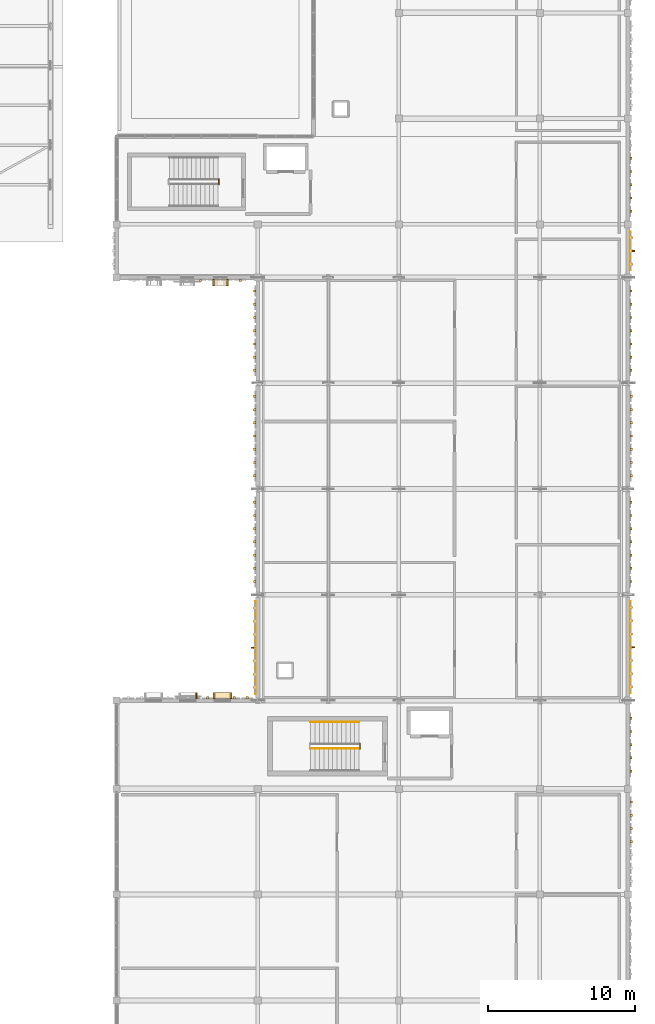
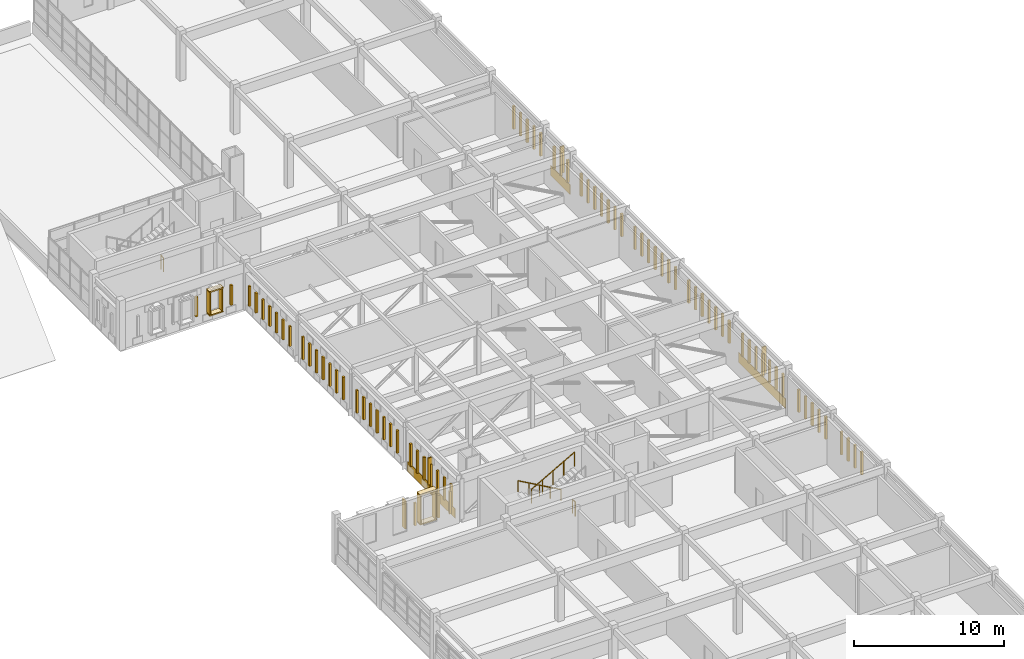
# One storey, part 72 of 79: 90 coverings, 4 railings, 3 shading devices.
"""IFC4 building model written with IfcOpenShell, lengths in metres."""

from ifc_helpers import new_model, si_unit, direction, frame, origin, origin_2d, place, context, subcontext, project, spatial, rectangle, circle, extrude, material, layer, layer_set, type_object, element, save


model = new_model("IFC4")

# Units and contexts
model_context = context("Model", 3, precision=1e-05, world=origin(), true_north=direction((0.0, 1.0)))
body_context = subcontext(model_context, "Body", "Model", "MODEL_VIEW")
ifc_project = project(units=[si_unit("LENGTHUNIT", "METRE"), si_unit("AREAUNIT", "SQUARE_METRE"), si_unit("VOLUMEUNIT", "CUBIC_METRE"), si_unit("PLANEANGLEUNIT", "RADIAN"), si_unit("MASSUNIT", "GRAM", prefix="KILO")], contexts=[model_context])

# Site, building, storey
site_placement = place(None, origin())
site = spatial("IfcSite", under=ifc_project, at=site_placement, CompositionType="ELEMENT")
building_placement = place(site_placement, origin())
building = spatial("IfcBuilding", under=site, at=building_placement, Name="Nzembalo Square Collegiate School", CompositionType="ELEMENT")
storey_placement = place(building_placement, frame((0.0, 0.0, 9.52001953125)))
storey = spatial("IfcBuildingStorey", under=building, at=storey_placement, Name="L02", CompositionType="ELEMENT", Elevation=9.52001953125)

# Coverings
ifc_material_1 = material(Name="Glazed cobalt ceramic patterned tile")
ifc_layer_1 = layer(ifc_material_1, 0.074951171875, Name="Glazed cobalt ceramic patterned tile")
ifc_layer_set_1 = layer_set([ifc_layer_1], Name="Glazed cobalt ceramic patterned tile")
covering_type_1 = type_object("IfcCoveringType", Name="CL01", PredefinedType="CLADDING", material=ifc_layer_set_1)
covering_1_placement = place(storey_placement, frame((140.242431640625, 54.0, 0.02001953125), z_axis=(0.0, 0.0, 1.0), x_axis=(1.0, 0.0, 0.0)))
element("IfcCovering", 1, at=covering_1_placement, inside=storey, type_object=covering_type_1, Name="Faience spandrel cladding CL01-0148", PredefinedType="CLADDING", context=body_context, shape_type="SweptSolid", body=[
    extrude(rectangle(XDim=0.034912109375, YDim=6.345947265625, at=origin_2d()), origin(), (0.0, 0.0, 1.0), 0.800048828125),
])
covering_2_placement = place(storey_placement, frame((165.757568359375, 54.032470703125, 0.02001953125), z_axis=(0.0, 0.0, 1.0), x_axis=(1.0, 0.0, 0.0)))
element("IfcCovering", 2, at=covering_2_placement, inside=storey, type_object=covering_type_1, Name="Faience spandrel cladding CL01-0164", PredefinedType="CLADDING", context=body_context, shape_type="SweptSolid", body=[
    extrude(rectangle(XDim=0.034912109375, YDim=6.281005859375, at=origin_2d()), origin(), (0.0, 0.0, 1.0), 0.800048828125),
])
covering_3_placement = place(storey_placement, frame((165.757568359375, 81.0, 0.02001953125), z_axis=(0.0, 0.0, 1.0), x_axis=(1.0, 0.0, 0.0)))
element("IfcCovering", 3, at=covering_3_placement, inside=storey, type_object=covering_type_1, Name="Faience spandrel cladding CL01-0168", PredefinedType="CLADDING", context=body_context, shape_type="SweptSolid", body=[
    extrude(rectangle(XDim=0.034912109375, YDim=2.615966796875, at=origin_2d()), origin(), (0.0, 0.0, 1.0), 0.800048828125),
])
ifc_material_2 = material(Name="Glazed ochre ceramic lancet rib")
ifc_layer_2 = layer(ifc_material_2, 0.159912109375, Name="Glazed ochre ceramic lancet rib")
ifc_layer_set_2 = layer_set([ifc_layer_2], Name="Glazed ochre ceramic lancet rib")
covering_type_2 = type_object("IfcCoveringType", Name="CL02", PredefinedType="CLADDING", material=ifc_layer_set_2)
for number, where, z_axis, x_axis, name in (
    (4, (136.9951171875, 50.6025390625, 0.759765625), (0.0, 0.0, 1.0), (1.0, 0.0, 0.0), "Gothic ceramic rib CL02-X0147-6"),
    (5, (138.794921875, 50.6025390625, 0.759765625), (0.0, 0.0, 1.0), (1.0, 0.0, 0.0), "Gothic ceramic rib CL02-X0147-8"),
    (6, (139.695068359375, 50.6025390625, 0.759765625), (0.0, 0.0, 1.0), (1.0, 0.0, 0.0), "Gothic ceramic rib CL02-X0147-9"),
    (7, (140.1875, 51.300048828125, 0.759765625), (0.0, 0.0, 1.0), (1.0, 0.0, 0.0), "Gothic ceramic rib CL02-Y0148-0"),
    (8, (140.1875, 52.199951171875, 0.759765625), (0.0, 0.0, 1.0), (1.0, 0.0, 0.0), "Gothic ceramic rib CL02-Y0148-1"),
    (9, (140.1875, 53.10009765625, 0.759765625), (0.0, 0.0, 1.0), (1.0, 0.0, 0.0), "Gothic ceramic rib CL02-Y0148-2"),
    (10, (140.1875, 54.0, 0.759765625), (0.0, 0.0, 1.0), (1.0, 0.0, 0.0), "Gothic ceramic rib CL02-Y0148-3"),
    (11, (140.1875, 54.89990234375, 0.759765625), (0.0, 0.0, 1.0), (1.0, 0.0, 0.0), "Gothic ceramic rib CL02-Y0148-4"),
    (12, (140.1875, 55.800048828125, 0.759765625), (0.0, 0.0, 1.0), (1.0, 0.0, 0.0), "Gothic ceramic rib CL02-Y0148-5"),
    (13, (140.1875, 56.699951171875, 0.759765625), (0.0, 0.0, 1.0), (1.0, 0.0, 0.0), "Gothic ceramic rib CL02-Y0148-6"),
    (14, (140.197509765625, 58.5, 0.759765625), (0.0, 0.0, 1.0), (1.0, 0.0, 0.0), "Gothic ceramic rib CL02-Y0149-0"),
    (15, (140.197509765625, 59.39990234375, 0.759765625), (0.0, 0.0, 1.0), (1.0, 0.0, 0.0), "Gothic ceramic rib CL02-Y0149-1"),
    (16, (140.197509765625, 60.300048828125, 0.759765625), (0.0, 0.0, 1.0), (1.0, 0.0, 0.0), "Gothic ceramic rib CL02-Y0149-2"),
    (17, (140.197509765625, 61.199951171875, 0.759765625), (0.0, 0.0, 1.0), (1.0, 0.0, 0.0), "Gothic ceramic rib CL02-Y0149-3"),
    (18, (140.197509765625, 62.10009765625, 0.759765625), (0.0, 0.0, 1.0), (1.0, 0.0, 0.0), "Gothic ceramic rib CL02-Y0149-4"),
    (19, (140.197509765625, 63.0, 0.759765625), (0.0, 0.0, 1.0), (1.0, 0.0, 0.0), "Gothic ceramic rib CL02-Y0149-5"),
    (20, (140.197509765625, 63.89990234375, 0.759765625), (0.0, 0.0, 1.0), (1.0, 0.0, 0.0), "Gothic ceramic rib CL02-Y0149-6"),
    (21, (140.1875, 65.699951171875, 0.759765625), (0.0, 0.0, 1.0), (1.0, 0.0, 0.0), "Gothic ceramic rib CL02-Y0150-0"),
    (22, (140.1875, 66.60009765625, 0.759765625), (0.0, 0.0, 1.0), (1.0, 0.0, 0.0), "Gothic ceramic rib CL02-Y0150-1"),
    (23, (140.1875, 67.5, 0.759765625), (0.0, 0.0, 1.0), (1.0, 0.0, 0.0), "Gothic ceramic rib CL02-Y0150-2"),
    (24, (140.1875, 68.39990234375, 0.759765625), (0.0, 0.0, 1.0), (1.0, 0.0, 0.0), "Gothic ceramic rib CL02-Y0150-3"),
    (25, (140.1875, 69.300048828125, 0.759765625), (0.0, 0.0, 1.0), (1.0, 0.0, 0.0), "Gothic ceramic rib CL02-Y0150-4"),
    (26, (140.1875, 70.199951171875, 0.759765625), (0.0, 0.0, 1.0), (1.0, 0.0, 0.0), "Gothic ceramic rib CL02-Y0150-5"),
    (27, (140.1875, 71.10009765625, 0.759765625), (0.0, 0.0, 1.0), (1.0, 0.0, 0.0), "Gothic ceramic rib CL02-Y0150-6"),
):
    element("IfcCovering", number, at=place(storey_placement, frame(where, z_axis=z_axis, x_axis=x_axis)), inside=storey, type_object=covering_type_2, Name=name, PredefinedType="CLADDING", context=body_context, shape_type="SweptSolid", body=[
        extrude(rectangle(XDim=0.159912109375, YDim=0.159912109375, at=origin_2d()), origin(), (0.0, 0.0, 1.0), 1.843994140625),
    ])
for number, where, z_axis, x_axis, name in (
    (28, (140.197509765625, 72.867431640625, 0.760009765625), (0.0, 0.0, 1.0), (1.0, 0.0, 0.0), "Gothic ceramic rib CL02-Y0151-0"),
    (29, (140.197509765625, 73.767578125, 0.760009765625), (0.0, 0.0, 1.0), (1.0, 0.0, 0.0), "Gothic ceramic rib CL02-Y0151-1"),
    (30, (140.197509765625, 74.66748046875, 0.760009765625), (0.0, 0.0, 1.0), (1.0, 0.0, 0.0), "Gothic ceramic rib CL02-Y0151-2"),
    (31, (140.197509765625, 75.5673828125, 0.760009765625), (0.0, 0.0, 1.0), (1.0, 0.0, 0.0), "Gothic ceramic rib CL02-Y0151-3"),
    (32, (140.197509765625, 76.467529296875, 0.760009765625), (0.0, 0.0, 1.0), (1.0, 0.0, 0.0), "Gothic ceramic rib CL02-Y0151-4"),
    (33, (140.197509765625, 77.367431640625, 0.760009765625), (0.0, 0.0, 1.0), (1.0, 0.0, 0.0), "Gothic ceramic rib CL02-Y0151-5"),
    (34, (140.197509765625, 78.267578125, 0.760009765625), (0.0, 0.0, 1.0), (1.0, 0.0, 0.0), "Gothic ceramic rib CL02-Y0151-6"),
    (35, (136.5, 78.987548828125, 0.760009765625), (0.0, 0.0, 1.0), (1.0, 0.0, 0.0), "Gothic ceramic rib CL02-X0152-5"),
    (36, (139.199951171875, 78.987548828125, 0.760009765625), (0.0, 0.0, 1.0), (1.0, 0.0, 0.0), "Gothic ceramic rib CL02-X0152-8"),
):
    element("IfcCovering", number, at=place(storey_placement, frame(where, z_axis=z_axis, x_axis=x_axis)), inside=storey, type_object=covering_type_2, Name=name, PredefinedType="CLADDING", context=body_context, shape_type="SweptSolid", body=[
        extrude(rectangle(XDim=0.159912109375, YDim=0.159912109375, at=origin_2d()), origin(), (0.0, 0.0, 1.0), 1.62890625),
    ])
for number, where, z_axis, x_axis, name in (
    (37, (165.8125, 40.800048828125, 0.76025390625), (0.0, 0.0, 1.0), (1.0, 0.0, 0.0), "Gothic ceramic rib CL02-Y0162-3"),
    (38, (165.8125, 41.699951171875, 0.76025390625), (0.0, 0.0, 1.0), (1.0, 0.0, 0.0), "Gothic ceramic rib CL02-Y0162-4"),
    (39, (165.8125, 42.60009765625, 0.76025390625), (0.0, 0.0, 1.0), (1.0, 0.0, 0.0), "Gothic ceramic rib CL02-Y0162-5"),
    (40, (165.8125, 43.5, 0.76025390625), (0.0, 0.0, 1.0), (1.0, 0.0, 0.0), "Gothic ceramic rib CL02-Y0162-6"),
):
    element("IfcCovering", number, at=place(storey_placement, frame(where, z_axis=z_axis, x_axis=x_axis)), inside=storey, type_object=covering_type_2, Name=name, PredefinedType="CLADDING", context=body_context, shape_type="SweptSolid", body=[
        extrude(rectangle(XDim=0.159912109375, YDim=0.159912109375, at=origin_2d()), origin(), (0.0, 0.0, 1.0), 1.868896484375),
    ])
for number, where, z_axis, x_axis, name in (
    (41, (165.802490234375, 45.60009765625, 0.759765625), (0.0, 0.0, 1.0), (1.0, 0.0, 0.0), "Gothic ceramic rib CL02-Y0163-0"),
    (42, (165.802490234375, 46.5, 0.759765625), (0.0, 0.0, 1.0), (1.0, 0.0, 0.0), "Gothic ceramic rib CL02-Y0163-1"),
    (43, (165.802490234375, 47.39990234375, 0.759765625), (0.0, 0.0, 1.0), (1.0, 0.0, 0.0), "Gothic ceramic rib CL02-Y0163-2"),
    (44, (165.802490234375, 48.300048828125, 0.759765625), (0.0, 0.0, 1.0), (1.0, 0.0, 0.0), "Gothic ceramic rib CL02-Y0163-3"),
    (45, (165.802490234375, 49.199951171875, 0.759765625), (0.0, 0.0, 1.0), (1.0, 0.0, 0.0), "Gothic ceramic rib CL02-Y0163-4"),
    (46, (165.8125, 51.33251953125, 0.759765625), (0.0, 0.0, 1.0), (1.0, 0.0, 0.0), "Gothic ceramic rib CL02-Y0164-0"),
    (47, (165.8125, 52.232421875, 0.759765625), (0.0, 0.0, 1.0), (1.0, 0.0, 0.0), "Gothic ceramic rib CL02-Y0164-1"),
    (48, (165.8125, 53.132568359375, 0.759765625), (0.0, 0.0, 1.0), (1.0, 0.0, 0.0), "Gothic ceramic rib CL02-Y0164-2"),
    (49, (165.8125, 54.032470703125, 0.759765625), (0.0, 0.0, 1.0), (1.0, 0.0, 0.0), "Gothic ceramic rib CL02-Y0164-3"),
    (50, (165.8125, 54.9326171875, 0.759765625), (0.0, 0.0, 1.0), (1.0, 0.0, 0.0), "Gothic ceramic rib CL02-Y0164-4"),
    (51, (165.8125, 55.83251953125, 0.759765625), (0.0, 0.0, 1.0), (1.0, 0.0, 0.0), "Gothic ceramic rib CL02-Y0164-5"),
    (52, (165.8125, 56.732421875, 0.759765625), (0.0, 0.0, 1.0), (1.0, 0.0, 0.0), "Gothic ceramic rib CL02-Y0164-6"),
    (53, (165.802490234375, 58.5, 0.759765625), (0.0, 0.0, 1.0), (1.0, 0.0, 0.0), "Gothic ceramic rib CL02-Y0165-0"),
    (54, (165.802490234375, 59.39990234375, 0.759765625), (0.0, 0.0, 1.0), (1.0, 0.0, 0.0), "Gothic ceramic rib CL02-Y0165-1"),
    (55, (165.802490234375, 60.300048828125, 0.759765625), (0.0, 0.0, 1.0), (1.0, 0.0, 0.0), "Gothic ceramic rib CL02-Y0165-2"),
    (56, (165.802490234375, 61.199951171875, 0.759765625), (0.0, 0.0, 1.0), (1.0, 0.0, 0.0), "Gothic ceramic rib CL02-Y0165-3"),
    (57, (165.802490234375, 62.10009765625, 0.759765625), (0.0, 0.0, 1.0), (1.0, 0.0, 0.0), "Gothic ceramic rib CL02-Y0165-4"),
    (58, (165.802490234375, 63.0, 0.759765625), (0.0, 0.0, 1.0), (1.0, 0.0, 0.0), "Gothic ceramic rib CL02-Y0165-5"),
    (59, (165.802490234375, 63.89990234375, 0.759765625), (0.0, 0.0, 1.0), (1.0, 0.0, 0.0), "Gothic ceramic rib CL02-Y0165-6"),
    (60, (165.8125, 65.699951171875, 0.759765625), (0.0, 0.0, 1.0), (1.0, 0.0, 0.0), "Gothic ceramic rib CL02-Y0166-0"),
    (61, (165.8125, 66.60009765625, 0.759765625), (0.0, 0.0, 1.0), (1.0, 0.0, 0.0), "Gothic ceramic rib CL02-Y0166-1"),
    (62, (165.8125, 67.5, 0.759765625), (0.0, 0.0, 1.0), (1.0, 0.0, 0.0), "Gothic ceramic rib CL02-Y0166-2"),
    (63, (165.8125, 68.39990234375, 0.759765625), (0.0, 0.0, 1.0), (1.0, 0.0, 0.0), "Gothic ceramic rib CL02-Y0166-3"),
    (64, (165.8125, 69.300048828125, 0.759765625), (0.0, 0.0, 1.0), (1.0, 0.0, 0.0), "Gothic ceramic rib CL02-Y0166-4"),
    (65, (165.8125, 70.199951171875, 0.759765625), (0.0, 0.0, 1.0), (1.0, 0.0, 0.0), "Gothic ceramic rib CL02-Y0166-5"),
    (66, (165.8125, 71.10009765625, 0.759765625), (0.0, 0.0, 1.0), (1.0, 0.0, 0.0), "Gothic ceramic rib CL02-Y0166-6"),
    (67, (165.802490234375, 72.867431640625, 0.759765625), (0.0, 0.0, 1.0), (1.0, 0.0, 0.0), "Gothic ceramic rib CL02-Y0167-0"),
    (68, (165.802490234375, 73.767578125, 0.759765625), (0.0, 0.0, 1.0), (1.0, 0.0, 0.0), "Gothic ceramic rib CL02-Y0167-1"),
    (69, (165.802490234375, 74.66748046875, 0.759765625), (0.0, 0.0, 1.0), (1.0, 0.0, 0.0), "Gothic ceramic rib CL02-Y0167-2"),
    (70, (165.802490234375, 75.5673828125, 0.759765625), (0.0, 0.0, 1.0), (1.0, 0.0, 0.0), "Gothic ceramic rib CL02-Y0167-3"),
    (71, (165.802490234375, 76.467529296875, 0.759765625), (0.0, 0.0, 1.0), (1.0, 0.0, 0.0), "Gothic ceramic rib CL02-Y0167-4"),
    (72, (165.802490234375, 77.367431640625, 0.759765625), (0.0, 0.0, 1.0), (1.0, 0.0, 0.0), "Gothic ceramic rib CL02-Y0167-5"),
    (73, (165.802490234375, 78.267578125, 0.759765625), (0.0, 0.0, 1.0), (1.0, 0.0, 0.0), "Gothic ceramic rib CL02-Y0167-6"),
    (74, (165.8125, 80.10009765625, 0.759765625), (0.0, 0.0, 1.0), (1.0, 0.0, 0.0), "Gothic ceramic rib CL02-Y0168-0"),
    (75, (165.8125, 81.0, 0.759765625), (0.0, 0.0, 1.0), (1.0, 0.0, 0.0), "Gothic ceramic rib CL02-Y0168-1"),
    (76, (165.8125, 81.89990234375, 0.759765625), (0.0, 0.0, 1.0), (1.0, 0.0, 0.0), "Gothic ceramic rib CL02-Y0168-2"),
):
    element("IfcCovering", number, at=place(storey_placement, frame(where, z_axis=z_axis, x_axis=x_axis)), inside=storey, type_object=covering_type_2, Name=name, PredefinedType="CLADDING", context=body_context, shape_type="SweptSolid", body=[
        extrude(rectangle(XDim=0.159912109375, YDim=0.159912109375, at=origin_2d()), origin(), (0.0, 0.0, 1.0), 1.843994140625),
    ])
for number, where, z_axis, x_axis, name in (
    (77, (165.802490234375, 83.699951171875, 0.76025390625), (0.0, 0.0, 1.0), (1.0, 0.0, 0.0), "Gothic ceramic rib CL02-Y0169-0"),
    (78, (165.802490234375, 84.60009765625, 0.76025390625), (0.0, 0.0, 1.0), (1.0, 0.0, 0.0), "Gothic ceramic rib CL02-Y0169-1"),
    (79, (165.802490234375, 85.5, 0.76025390625), (0.0, 0.0, 1.0), (1.0, 0.0, 0.0), "Gothic ceramic rib CL02-Y0169-2"),
    (80, (165.802490234375, 86.39990234375, 0.76025390625), (0.0, 0.0, 1.0), (1.0, 0.0, 0.0), "Gothic ceramic rib CL02-Y0169-3"),
    (81, (165.802490234375, 87.300048828125, 0.76025390625), (0.0, 0.0, 1.0), (1.0, 0.0, 0.0), "Gothic ceramic rib CL02-Y0169-4"),
):
    element("IfcCovering", number, at=place(storey_placement, frame(where, z_axis=z_axis, x_axis=x_axis)), inside=storey, type_object=covering_type_2, Name=name, PredefinedType="CLADDING", context=body_context, shape_type="SweptSolid", body=[
        extrude(rectangle(XDim=0.159912109375, YDim=0.159912109375, at=origin_2d()), origin(), (0.0, 0.0, 1.0), 1.868896484375),
    ])
ifc_material_3 = material(Name="Glazed celadon ceramic window frame")
ifc_layer_3 = layer(ifc_material_3, 0.419921875, Name="Glazed celadon ceramic window frame")
ifc_layer_set_3 = layer_set([ifc_layer_3], Name="Glazed celadon ceramic window frame")
covering_type_3 = type_object("IfcCoveringType", Name="WF01", PredefinedType="CLADDING", material=ifc_layer_set_3)
covering_4_placement = place(storey_placement, frame((136.22509765625, 50.737548828125, 0.75), z_axis=(0.0, 0.0, 1.0), x_axis=(1.0, 0.0, 0.0)))
element("IfcCovering", 82, at=covering_4_placement, inside=storey, type_object=covering_type_3, Name="Deep lancet window jamb WF01-0381R", PredefinedType="CLADDING", context=body_context, shape_type="SweptSolid", body=[
    extrude(rectangle(XDim=0.10009765625, YDim=0.419921875, at=origin_2d()), origin(), (0.0, 0.0, 1.0), 2.300048828125),
])
covering_5_placement = place(storey_placement, frame((137.989013671875, 50.737548828125, 3.0546875), z_axis=(0.0, 0.0, 1.0), x_axis=(1.0, 0.0, 0.0)))
element("IfcCovering", 83, at=covering_5_placement, inside=storey, type_object=covering_type_3, Name="Deep lancet window hood WF01-0382", PredefinedType="CLADDING", context=body_context, shape_type="SweptSolid", body=[
    extrude(rectangle(XDim=1.2900390625, YDim=0.419921875, at=origin_2d()), origin(), (0.0, 0.0, 1.0), 0.110107421875),
])
covering_6_placement = place(storey_placement, frame((137.989013671875, 50.737548828125, 0.65478515625), z_axis=(0.0, 0.0, 1.0), x_axis=(1.0, 0.0, 0.0)))
element("IfcCovering", 84, at=covering_6_placement, inside=storey, type_object=covering_type_3, Name="Deep lancet window sill WF01-0382", PredefinedType="CLADDING", context=body_context, shape_type="SweptSolid", body=[
    extrude(rectangle(XDim=1.2900390625, YDim=0.419921875, at=origin_2d()), origin(), (0.0, 0.0, 1.0), 0.090087890625),
])
for number, where, z_axis, x_axis, name in (
    (85, (137.408935546875, 50.737548828125, 0.75), (0.0, 0.0, 1.0), (1.0, 0.0, 0.0), "Deep lancet window jamb WF01-0382L"),
    (86, (138.569091796875, 50.737548828125, 0.75), (0.0, 0.0, 1.0), (1.0, 0.0, 0.0), "Deep lancet window jamb WF01-0382R"),
):
    element("IfcCovering", number, at=place(storey_placement, frame(where, z_axis=z_axis, x_axis=x_axis)), inside=storey, type_object=covering_type_3, Name=name, PredefinedType="CLADDING", context=body_context, shape_type="SweptSolid", body=[
        extrude(rectangle(XDim=0.10009765625, YDim=0.419921875, at=origin_2d()), origin(), (0.0, 0.0, 1.0), 2.300048828125),
    ])
covering_7_placement = place(storey_placement, frame((137.864013671875, 78.8525390625, 2.57470703125), z_axis=(0.0, 0.0, 1.0), x_axis=(1.0, 0.0, 0.0)))
element("IfcCovering", 87, at=covering_7_placement, inside=storey, type_object=covering_type_3, Name="Deep lancet window hood WF01-0410", PredefinedType="CLADDING", context=body_context, shape_type="SweptSolid", body=[
    extrude(rectangle(XDim=1.06005859375, YDim=0.419921875, at=origin_2d()), origin(), (0.0, 0.0, 1.0), 0.110107421875),
])
covering_8_placement = place(storey_placement, frame((137.864013671875, 78.8525390625, 0.65478515625), z_axis=(0.0, 0.0, 1.0), x_axis=(1.0, 0.0, 0.0)))
element("IfcCovering", 88, at=covering_8_placement, inside=storey, type_object=covering_type_3, Name="Deep lancet window sill WF01-0410", PredefinedType="CLADDING", context=body_context, shape_type="SweptSolid", body=[
    extrude(rectangle(XDim=1.06005859375, YDim=0.419921875, at=origin_2d()), origin(), (0.0, 0.0, 1.0), 0.090087890625),
])
for number, where, z_axis, x_axis, name in (
    (89, (137.39892578125, 78.8525390625, 0.75), (0.0, 0.0, 1.0), (1.0, 0.0, 0.0), "Deep lancet window jamb WF01-0410L"),
    (90, (138.3291015625, 78.8525390625, 0.75), (0.0, 0.0, 1.0), (1.0, 0.0, 0.0), "Deep lancet window jamb WF01-0410R"),
):
    element("IfcCovering", number, at=place(storey_placement, frame(where, z_axis=z_axis, x_axis=x_axis)), inside=storey, type_object=covering_type_3, Name=name, PredefinedType="CLADDING", context=body_context, shape_type="SweptSolid", body=[
        extrude(rectangle(XDim=0.10009765625, YDim=0.419921875, at=origin_2d()), origin(), (0.0, 0.0, 1.0), 1.820068359375),
    ])

# Railings
ifc_material_4 = material(Name="Steel S355", Category="steel")
railing_type_1 = type_object("IfcRailingType", Name="GR01", PredefinedType="GUARDRAIL", material=ifc_material_4)
railing_1_placement = place(storey_placement, frame((137.75, 85.52001953125, -0.005126953125)))
element("IfcRailing", 91, at=railing_1_placement, inside=storey, type_object=railing_type_1, Name="Stair guard GR-15-4", PredefinedType="GUARDRAIL", context=body_context, shape_type="SweptSolid", body=[
    extrude(circle(Radius=0.02392578125, at=origin_2d()), frame((0.0, 0.0, 1.1259765625), z_axis=(0.0, 1.0, 0.0), x_axis=(-1.0, 0.0, 0.0)), (0.0, 0.0, 1.0), 0.35986328125),
    extrude(circle(Radius=0.02099609375, at=origin_2d()), origin(), (0.0, 0.0, 1.0), 1.101806640625),
    extrude(circle(Radius=0.02099609375, at=origin_2d()), frame((0.0, 0.35986328125, 0.0)), (0.0, 0.0, 1.0), 1.101806640625),
])
railing_2_placement = place(storey_placement, frame((144.0, 47.14990234375, 2.199951171875)))
element("IfcRailing", 92, at=railing_2_placement, inside=storey, type_object=railing_type_1, Name="Stair guard GR-21-3", PredefinedType="GUARDRAIL", context=body_context, shape_type="SweptSolid", body=[
    extrude(circle(Radius=0.02392578125, at=origin_2d()), frame((0.0, 0.0, 1.1259765625), z_axis=(0.870012062771, 0.0, 0.493030435808), x_axis=(0.0, 1.0, 0.0)), (0.0, 0.0, 1.0), 3.793212890625),
    extrude(circle(Radius=0.02099609375, at=origin_2d()), origin(), (0.0, 0.0, 1.0), 1.101806640625),
    extrude(circle(Radius=0.02099609375, at=origin_2d()), frame((0.824951171875, 0.0, 0.467529296875)), (0.0, 0.0, 1.0), 1.101806640625),
    extrude(circle(Radius=0.02099609375, at=origin_2d()), frame((1.64990234375, 0.0, 0.93505859375)), (0.0, 0.0, 1.0), 1.101806640625),
    extrude(circle(Radius=0.02099609375, at=origin_2d()), frame((2.47509765625, 0.0, 1.402587890625)), (0.0, 0.0, 1.0), 1.101806640625),
    extrude(circle(Radius=0.02099609375, at=origin_2d()), frame((3.300048828125, 0.0, 1.8701171875)), (0.0, 0.0, 1.0), 1.101806640625),
])
railing_3_placement = place(storey_placement, frame((147.35009765625, 47.1201171875, -0.005126953125)))
element("IfcRailing", 93, at=railing_3_placement, inside=storey, type_object=railing_type_1, Name="Stair guard GR-21-4", PredefinedType="GUARDRAIL", context=body_context, shape_type="SweptSolid", body=[
    extrude(circle(Radius=0.02392578125, at=origin_2d()), frame((0.0, 0.0, 1.1259765625), z_axis=(0.0, 1.0, 0.0), x_axis=(-1.0, 0.0, 0.0)), (0.0, 0.0, 1.0), 0.35986328125),
    extrude(circle(Radius=0.02099609375, at=origin_2d()), origin(), (0.0, 0.0, 1.0), 1.101806640625),
    extrude(circle(Radius=0.02099609375, at=origin_2d()), frame((0.0, 0.35986328125, 0.0)), (0.0, 0.0, 1.0), 1.101806640625),
])
ifc_material_5 = material(Name="Steel S355", Category="steel")
railing_type_2 = type_object("IfcRailingType", Name="HR01", PredefinedType="HANDRAIL", material=ifc_material_5)
railing_4_placement = place(storey_placement, frame((147.300048828125, 48.949951171875, 0.159912109375)))
element("IfcRailing", 94, at=railing_4_placement, inside=storey, type_object=railing_type_2, Name="Stair handrail HR-21-1", PredefinedType="HANDRAIL", context=body_context, shape_type="SweptSolid", body=[
    extrude(circle(Radius=0.02392578125, at=origin_2d()), frame((0.0, 0.0, 0.89599609375), z_axis=(-0.870012062771, 0.0, 0.493030435808), x_axis=(0.0, -1.0, 0.0)), (0.0, 0.0, 1.0), 3.793212890625),
    extrude(circle(Radius=0.02099609375, at=origin_2d()), origin(), (0.0, 0.0, 1.0), 0.871826171875),
    extrude(circle(Radius=0.02099609375, at=origin_2d()), frame((-0.824951171875, 0.0, 0.467529296875)), (0.0, 0.0, 1.0), 0.871826171875),
    extrude(circle(Radius=0.02099609375, at=origin_2d()), frame((-1.64990234375, 0.0, 0.93505859375)), (0.0, 0.0, 1.0), 0.871826171875),
    extrude(circle(Radius=0.02099609375, at=origin_2d()), frame((-2.47509765625, 0.0, 1.402587890625)), (0.0, 0.0, 1.0), 0.871826171875),
    extrude(circle(Radius=0.02099609375, at=origin_2d()), frame((-3.300048828125, 0.0, 1.8701171875)), (0.0, 0.0, 1.0), 0.871826171875),
])

# Shading devices
ifc_material_6 = material(Name="Glazed ochre ceramic vertical fin")
shading_device_type = type_object("IfcShadingDeviceType", Name="JL01", PredefinedType="JALOUSIE", material=ifc_material_6)
for number, where, z_axis, x_axis, name in (
    (95, (140.1025390625, 54.0, 0.94970703125), (0.0, 0.0, 1.0), (1.0, 0.0, 0.0), "Ceramic fin JL01-0148"),
    (96, (165.8974609375, 54.032470703125, 0.94970703125), (0.0, 0.0, 1.0), (1.0, 0.0, 0.0), "Ceramic fin JL01-0164"),
    (97, (165.8974609375, 81.0, 0.94970703125), (0.0, 0.0, 1.0), (1.0, 0.0, 0.0), "Ceramic fin JL01-0168"),
):
    element("IfcShadingDevice", number, at=place(storey_placement, frame(where, z_axis=z_axis, x_axis=x_axis)), inside=storey, type_object=shading_device_type, Name=name, PredefinedType="JALOUSIE", context=body_context, shape_type="SweptSolid", body=[
        extrude(rectangle(XDim=0.320068359375, YDim=0.090087890625, at=origin_2d()), origin(), (0.0, 0.0, 1.0), 2.194091796875),
    ])

save(model, "model.ifc")
